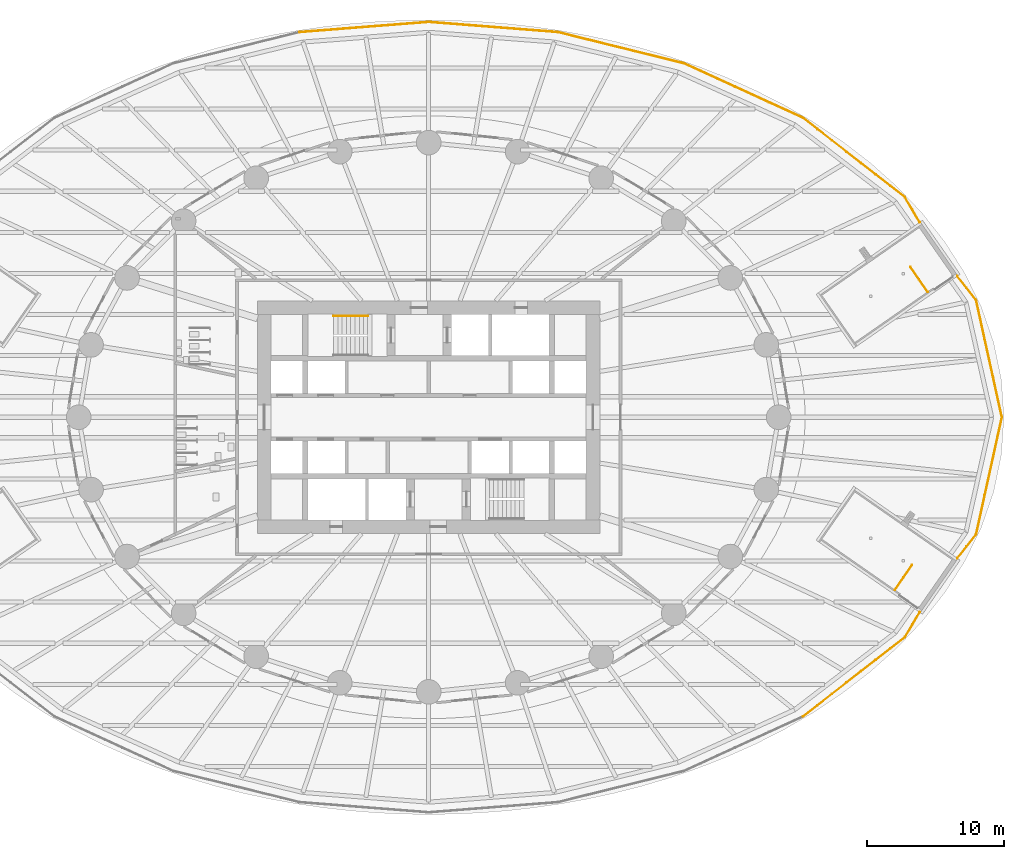
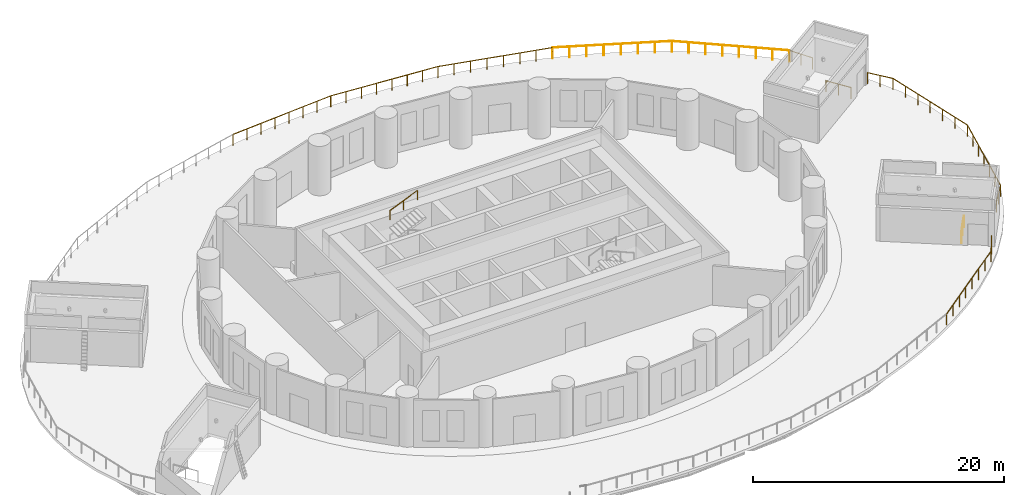
# One storey, part 15 of 17: 15 railings.
"""IFC4 building model written with IfcOpenShell, lengths in metres."""

from ifc_helpers import new_model, si_unit, direction, frame, origin, origin_2d, place, context, subcontext, project, spatial, circle, extrude, material, type_object, element, save


model = new_model("IFC4")

# Units and contexts
model_context = context("Model", 3, precision=1e-05, world=origin(), true_north=direction((0.0, 1.0)))
body_context = subcontext(model_context, "Body", "Model", "MODEL_VIEW")
ifc_project = project(units=[si_unit("LENGTHUNIT", "METRE"), si_unit("AREAUNIT", "SQUARE_METRE"), si_unit("VOLUMEUNIT", "CUBIC_METRE"), si_unit("PLANEANGLEUNIT", "RADIAN"), si_unit("MASSUNIT", "GRAM", prefix="KILO")], contexts=[model_context])

# Site, building, storey
site_placement = place(None, origin())
site = spatial("IfcSite", under=ifc_project, at=site_placement, CompositionType="ELEMENT")
building_placement = place(site_placement, origin())
building = spatial("IfcBuilding", under=site, at=building_placement, Name="Hankou Lantern Tower", CompositionType="ELEMENT")
storey_placement = place(building_placement, frame((0.0, 0.0, 24.60009765625)))
storey = spatial("IfcBuildingStorey", under=building, at=storey_placement, Name="L04", CompositionType="ELEMENT", Elevation=24.60009765625)

# Railings
ifc_material_1 = material(Name="Stainless steel and laminated glass guard", Category="steel")
railing_type_1 = type_object("IfcRailingType", Name="GR1 GUARD 1100", PredefinedType="GUARDRAIL", material=ifc_material_1)
railing_1_placement = place(storey_placement, frame((36.43212890625, 9.15771484375, 0.0)))
element("IfcRailing", 1, at=railing_1_placement, inside=storey, type_object=railing_type_1, Name="Stair P1 well guard L04", PredefinedType="GUARDRAIL", context=body_context, shape_type="SweptSolid", body=[
    extrude(circle(Radius=0.02392578125, at=origin_2d()), frame((0.0, 0.0, 1.076171875), z_axis=(-0.571031975366, 0.820927818453, 0.0), x_axis=(-0.820927818453, -0.571031975366, 0.0)), (0.0, 0.0, 1.0), 2.2001953125),
    extrude(circle(Radius=0.02099609375, at=origin_2d()), origin(), (0.0, 0.0, 1.0), 1.052001953125),
    extrude(circle(Radius=0.02099609375, at=origin_2d()), frame((-0.628173828125, 0.903076171875, 0.0)), (0.0, 0.0, 1.0), 1.052001953125),
    extrude(circle(Radius=0.02099609375, at=origin_2d()), frame((-1.25634765625, 1.80615234375, 0.0)), (0.0, 0.0, 1.0), 1.052001953125),
])
railing_2_placement = place(storey_placement, frame((34.03369140625, -12.605712890625, 0.0)))
element("IfcRailing", 2, at=railing_2_placement, inside=storey, type_object=railing_type_1, Name="Stair P4 well guard L04", PredefinedType="GUARDRAIL", context=body_context, shape_type="SweptSolid", body=[
    extrude(circle(Radius=0.02392578125, at=origin_2d()), frame((0.0, 0.0, 1.076171875), z_axis=(0.571031975366, 0.820927818453, 0.0), x_axis=(-0.820927818453, 0.571031975366, 0.0)), (0.0, 0.0, 1.0), 2.2001953125),
    extrude(circle(Radius=0.02099609375, at=origin_2d()), origin(), (0.0, 0.0, 1.0), 1.052001953125),
    extrude(circle(Radius=0.02099609375, at=origin_2d()), frame((0.628173828125, 0.903076171875, 0.0)), (0.0, 0.0, 1.0), 1.052001953125),
    extrude(circle(Radius=0.02099609375, at=origin_2d()), frame((1.25634765625, 1.80615234375, 0.0)), (0.0, 0.0, 1.0), 1.052001953125),
])
ifc_material_2 = material(Name="Granite balusters and coping on a stainless steel core", Category="masonry")
railing_type_2 = type_object("IfcRailingType", Name="GR2 PODIUM TERRACE STONE BALUSTRADE 1100", PredefinedType="BALUSTRADE", material=ifc_material_2)
railing_3_placement = place(storey_placement, frame((41.85009765625, 0.0, 0.0)))
element("IfcRailing", 3, at=railing_3_placement, inside=storey, type_object=railing_type_2, Name="Podium terrace guard R01", PredefinedType="BALUSTRADE", context=body_context, shape_type="SweptSolid", body=[
    extrude(circle(Radius=0.02392578125, at=origin_2d()), frame((0.0, 0.0, 1.076171875), z_axis=(-0.215170782675, 0.976576435454, 0.0), x_axis=(-0.976576435454, -0.215170782675, 0.0)), (0.0, 0.0, 1.0), 8.77197265625),
    extrude(circle(Radius=0.02099609375, at=origin_2d()), origin(), (0.0, 0.0, 1.0), 1.052001953125),
    extrude(circle(Radius=0.02099609375, at=origin_2d()), frame((-0.314453125, 1.427734375, 0.0)), (0.0, 0.0, 1.0), 1.052001953125),
    extrude(circle(Radius=0.02099609375, at=origin_2d()), frame((-0.629150390625, 2.85546875, 0.0)), (0.0, 0.0, 1.0), 1.052001953125),
    extrude(circle(Radius=0.02099609375, at=origin_2d()), frame((-0.94384765625, 4.283203125, 0.0)), (0.0, 0.0, 1.0), 1.052001953125),
    extrude(circle(Radius=0.02099609375, at=origin_2d()), frame((-1.25830078125, 5.7109375, 0.0)), (0.0, 0.0, 1.0), 1.052001953125),
    extrude(circle(Radius=0.02099609375, at=origin_2d()), frame((-1.57275390625, 7.138671875, 0.0)), (0.0, 0.0, 1.0), 1.052001953125),
    extrude(circle(Radius=0.02099609375, at=origin_2d()), frame((-1.887451171875, 8.56640625, 0.0)), (0.0, 0.0, 1.0), 1.052001953125),
])
railing_4_placement = place(storey_placement, frame((39.962646484375, 8.56640625, 0.0)))
element("IfcRailing", 4, at=railing_4_placement, inside=storey, type_object=railing_type_2, Name="Podium terrace guard R02", PredefinedType="BALUSTRADE", context=body_context, shape_type="SweptSolid", body=[
    extrude(circle(Radius=0.02392578125, at=origin_2d()), frame((0.0, 0.0, 1.076171875), z_axis=(-0.622181521097, 0.782873013205, 0.0), x_axis=(-0.782873013205, -0.622181521097, 0.0)), (0.0, 0.0, 1.0), 2.2060546875),
    extrude(circle(Radius=0.02099609375, at=origin_2d()), origin(), (0.0, 0.0, 1.0), 1.052001953125),
    extrude(circle(Radius=0.02099609375, at=origin_2d()), frame((-0.686279296875, 0.863525390625, 0.0)), (0.0, 0.0, 1.0), 1.052001953125),
    extrude(circle(Radius=0.02099609375, at=origin_2d()), frame((-1.37255859375, 1.72705078125, 0.0)), (0.0, 0.0, 1.0), 1.052001953125),
])
railing_5_placement = place(storey_placement, frame((35.84912109375, 14.23388671875, 0.0)))
element("IfcRailing", 5, at=railing_5_placement, inside=storey, type_object=railing_type_2, Name="Podium terrace guard R02", PredefinedType="BALUSTRADE", context=body_context, shape_type="SweptSolid", body=[
    extrude(circle(Radius=0.02392578125, at=origin_2d()), frame((0.0, 0.0, 1.076171875), z_axis=(-0.509884417263, 0.86024291978, 0.0), x_axis=(-0.86024291978, -0.509884417263, 0.0)), (0.0, 0.0, 1.0), 2.12109375),
    extrude(circle(Radius=0.02099609375, at=origin_2d()), origin(), (0.0, 0.0, 1.0), 1.052001953125),
    extrude(circle(Radius=0.02099609375, at=origin_2d()), frame((-0.540771484375, 0.912353515625, 0.0)), (0.0, 0.0, 1.0), 1.052001953125),
    extrude(circle(Radius=0.02099609375, at=origin_2d()), frame((-1.08154296875, 1.82470703125, 0.0)), (0.0, 0.0, 1.0), 1.052001953125),
])
railing_6_placement = place(storey_placement, frame((34.767578125, 16.05859375, 0.0)))
element("IfcRailing", 6, at=railing_6_placement, inside=storey, type_object=railing_type_2, Name="Podium terrace guard R03", PredefinedType="BALUSTRADE", context=body_context, shape_type="SweptSolid", body=[
    extrude(circle(Radius=0.02392578125, at=origin_2d()), frame((0.0, 0.0, 1.076171875), z_axis=(-0.789189230142, 0.614150111152, 0.0), x_axis=(-0.614150111152, -0.789189230142, 0.0)), (0.0, 0.0, 1.0), 9.4384765625),
    extrude(circle(Radius=0.02099609375, at=origin_2d()), origin(), (0.0, 0.0, 1.0), 1.052001953125),
    extrude(circle(Radius=0.02099609375, at=origin_2d()), frame((-1.064208984375, 0.828125, 0.0)), (0.0, 0.0, 1.0), 1.052001953125),
    extrude(circle(Radius=0.02099609375, at=origin_2d()), frame((-2.128173828125, 1.65625, 0.0)), (0.0, 0.0, 1.0), 1.052001953125),
    extrude(circle(Radius=0.02099609375, at=origin_2d()), frame((-3.1923828125, 2.484375, 0.0)), (0.0, 0.0, 1.0), 1.052001953125),
    extrude(circle(Radius=0.02099609375, at=origin_2d()), frame((-4.25634765625, 3.312255859375, 0.0)), (0.0, 0.0, 1.0), 1.052001953125),
    extrude(circle(Radius=0.02099609375, at=origin_2d()), frame((-5.320556640625, 4.140380859375, 0.0)), (0.0, 0.0, 1.0), 1.052001953125),
    extrude(circle(Radius=0.02099609375, at=origin_2d()), frame((-6.384521484375, 4.968505859375, 0.0)), (0.0, 0.0, 1.0), 1.052001953125),
    extrude(circle(Radius=0.02099609375, at=origin_2d()), frame((-7.44873046875, 5.796630859375, 0.0)), (0.0, 0.0, 1.0), 1.052001953125),
])
railing_7_placement = place(storey_placement, frame((27.31884765625, 21.855224609375, 0.0)))
element("IfcRailing", 7, at=railing_7_placement, inside=storey, type_object=railing_type_2, Name="Podium terrace guard R04", PredefinedType="BALUSTRADE", context=body_context, shape_type="SweptSolid", body=[
    extrude(circle(Radius=0.02392578125, at=origin_2d()), frame((0.0, 0.0, 1.076171875), z_axis=(-0.909171365198, 0.416422176047, 0.0), x_axis=(-0.416422176047, -0.909171365198, 0.0)), (0.0, 0.0, 1.0), 9.544677734375),
    extrude(circle(Radius=0.02099609375, at=origin_2d()), origin(), (0.0, 0.0, 1.0), 1.052001953125),
    extrude(circle(Radius=0.02099609375, at=origin_2d()), frame((-1.23974609375, 0.56787109375, 0.0)), (0.0, 0.0, 1.0), 1.052001953125),
    extrude(circle(Radius=0.02099609375, at=origin_2d()), frame((-2.479248046875, 1.135498046875, 0.0)), (0.0, 0.0, 1.0), 1.052001953125),
    extrude(circle(Radius=0.02099609375, at=origin_2d()), frame((-3.718994140625, 1.703369140625, 0.0)), (0.0, 0.0, 1.0), 1.052001953125),
    extrude(circle(Radius=0.02099609375, at=origin_2d()), frame((-4.958740234375, 2.271240234375, 0.0)), (0.0, 0.0, 1.0), 1.052001953125),
    extrude(circle(Radius=0.02099609375, at=origin_2d()), frame((-6.198486328125, 2.839111328125, 0.0)), (0.0, 0.0, 1.0), 1.052001953125),
    extrude(circle(Radius=0.02099609375, at=origin_2d()), frame((-7.43798828125, 3.40673828125, 0.0)), (0.0, 0.0, 1.0), 1.052001953125),
    extrude(circle(Radius=0.02099609375, at=origin_2d()), frame((-8.677734375, 3.974609375, 0.0)), (0.0, 0.0, 1.0), 1.052001953125),
])
railing_8_placement = place(storey_placement, frame((18.64111328125, 25.829833984375, 0.0)))
element("IfcRailing", 8, at=railing_8_placement, inside=storey, type_object=railing_type_2, Name="Podium terrace guard R05", PredefinedType="BALUSTRADE", context=body_context, shape_type="SweptSolid", body=[
    extrude(circle(Radius=0.02392578125, at=origin_2d()), frame((0.0, 0.0, 1.076171875), z_axis=(-0.97078133687, 0.239965822533, 0.0), x_axis=(-0.239965822533, -0.97078133687, 0.0)), (0.0, 0.0, 1.0), 9.50341796875),
    extrude(circle(Radius=0.02099609375, at=origin_2d()), origin(), (0.0, 0.0, 1.0), 1.052001953125),
    extrude(circle(Radius=0.02099609375, at=origin_2d()), frame((-1.31787109375, 0.32568359375, 0.0)), (0.0, 0.0, 1.0), 1.052001953125),
    extrude(circle(Radius=0.02099609375, at=origin_2d()), frame((-2.635986328125, 0.651611328125, 0.0)), (0.0, 0.0, 1.0), 1.052001953125),
    extrude(circle(Radius=0.02099609375, at=origin_2d()), frame((-3.953857421875, 0.977294921875, 0.0)), (0.0, 0.0, 1.0), 1.052001953125),
    extrude(circle(Radius=0.02099609375, at=origin_2d()), frame((-5.27197265625, 1.30322265625, 0.0)), (0.0, 0.0, 1.0), 1.052001953125),
    extrude(circle(Radius=0.02099609375, at=origin_2d()), frame((-6.58984375, 1.62890625, 0.0)), (0.0, 0.0, 1.0), 1.052001953125),
    extrude(circle(Radius=0.02099609375, at=origin_2d()), frame((-7.907958984375, 1.954833984375, 0.0)), (0.0, 0.0, 1.0), 1.052001953125),
    extrude(circle(Radius=0.02099609375, at=origin_2d()), frame((-9.225830078125, 2.280517578125, 0.0)), (0.0, 0.0, 1.0), 1.052001953125),
])
railing_9_placement = place(storey_placement, frame((9.415283203125, 28.1103515625, 0.0)))
element("IfcRailing", 9, at=railing_9_placement, inside=storey, type_object=railing_type_2, Name="Podium terrace guard R06", PredefinedType="BALUSTRADE", context=body_context, shape_type="SweptSolid", body=[
    extrude(circle(Radius=0.02392578125, at=origin_2d()), frame((0.0, 0.0, 1.076171875), z_axis=(-0.996927700353, 0.078327263894, 0.0), x_axis=(-0.078327263894, -0.996927700353, 0.0)), (0.0, 0.0, 1.0), 9.4443359375),
    extrude(circle(Radius=0.02099609375, at=origin_2d()), origin(), (0.0, 0.0, 1.0), 1.052001953125),
    extrude(circle(Radius=0.02099609375, at=origin_2d()), frame((-1.344970703125, 0.105712890625, 0.0)), (0.0, 0.0, 1.0), 1.052001953125),
    extrude(circle(Radius=0.02099609375, at=origin_2d()), frame((-2.690185546875, 0.21142578125, 0.0)), (0.0, 0.0, 1.0), 1.052001953125),
    extrude(circle(Radius=0.02099609375, at=origin_2d()), frame((-4.03515625, 0.317138671875, 0.0)), (0.0, 0.0, 1.0), 1.052001953125),
    extrude(circle(Radius=0.02099609375, at=origin_2d()), frame((-5.380126953125, 0.422607421875, 0.0)), (0.0, 0.0, 1.0), 1.052001953125),
    extrude(circle(Radius=0.02099609375, at=origin_2d()), frame((-6.72509765625, 0.5283203125, 0.0)), (0.0, 0.0, 1.0), 1.052001953125),
    extrude(circle(Radius=0.02099609375, at=origin_2d()), frame((-8.0703125, 0.634033203125, 0.0)), (0.0, 0.0, 1.0), 1.052001953125),
    extrude(circle(Radius=0.02099609375, at=origin_2d()), frame((-9.415283203125, 0.73974609375, 0.0)), (0.0, 0.0, 1.0), 1.052001953125),
])
railing_10_placement = place(storey_placement, frame((0.0, 28.85009765625, 0.0)))
element("IfcRailing", 10, at=railing_10_placement, inside=storey, type_object=railing_type_2, Name="Podium terrace guard R07", PredefinedType="BALUSTRADE", context=body_context, shape_type="SweptSolid", body=[
    extrude(circle(Radius=0.02392578125, at=origin_2d()), frame((0.0, 0.0, 1.076171875), z_axis=(-0.996927700353, -0.078327263894, 0.0), x_axis=(0.078327263894, -0.996927700353, 0.0)), (0.0, 0.0, 1.0), 9.4443359375),
    extrude(circle(Radius=0.02099609375, at=origin_2d()), origin(), (0.0, 0.0, 1.0), 1.052001953125),
    extrude(circle(Radius=0.02099609375, at=origin_2d()), frame((-1.344970703125, -0.105712890625, 0.0)), (0.0, 0.0, 1.0), 1.052001953125),
    extrude(circle(Radius=0.02099609375, at=origin_2d()), frame((-2.690185546875, -0.21142578125, 0.0)), (0.0, 0.0, 1.0), 1.052001953125),
    extrude(circle(Radius=0.02099609375, at=origin_2d()), frame((-4.03515625, -0.317138671875, 0.0)), (0.0, 0.0, 1.0), 1.052001953125),
    extrude(circle(Radius=0.02099609375, at=origin_2d()), frame((-5.380126953125, -0.422607421875, 0.0)), (0.0, 0.0, 1.0), 1.052001953125),
    extrude(circle(Radius=0.02099609375, at=origin_2d()), frame((-6.72509765625, -0.5283203125, 0.0)), (0.0, 0.0, 1.0), 1.052001953125),
    extrude(circle(Radius=0.02099609375, at=origin_2d()), frame((-8.0703125, -0.634033203125, 0.0)), (0.0, 0.0, 1.0), 1.052001953125),
    extrude(circle(Radius=0.02099609375, at=origin_2d()), frame((-9.415283203125, -0.73974609375, 0.0)), (0.0, 0.0, 1.0), 1.052001953125),
])
railing_11_placement = place(storey_placement, frame((27.31884765625, -21.855224609375, 0.0)))
element("IfcRailing", 11, at=railing_11_placement, inside=storey, type_object=railing_type_2, Name="Podium terrace guard R22", PredefinedType="BALUSTRADE", context=body_context, shape_type="SweptSolid", body=[
    extrude(circle(Radius=0.02392578125, at=origin_2d()), frame((0.0, 0.0, 1.076171875), z_axis=(0.789189230142, 0.614150111152, 0.0), x_axis=(-0.614150111152, 0.789189230142, 0.0)), (0.0, 0.0, 1.0), 9.4384765625),
    extrude(circle(Radius=0.02099609375, at=origin_2d()), origin(), (0.0, 0.0, 1.0), 1.052001953125),
    extrude(circle(Radius=0.02099609375, at=origin_2d()), frame((1.064208984375, 0.828125, 0.0)), (0.0, 0.0, 1.0), 1.052001953125),
    extrude(circle(Radius=0.02099609375, at=origin_2d()), frame((2.128173828125, 1.65625, 0.0)), (0.0, 0.0, 1.0), 1.052001953125),
    extrude(circle(Radius=0.02099609375, at=origin_2d()), frame((3.1923828125, 2.484375, 0.0)), (0.0, 0.0, 1.0), 1.052001953125),
    extrude(circle(Radius=0.02099609375, at=origin_2d()), frame((4.25634765625, 3.312255859375, 0.0)), (0.0, 0.0, 1.0), 1.052001953125),
    extrude(circle(Radius=0.02099609375, at=origin_2d()), frame((5.320556640625, 4.140380859375, 0.0)), (0.0, 0.0, 1.0), 1.052001953125),
    extrude(circle(Radius=0.02099609375, at=origin_2d()), frame((6.384521484375, 4.968505859375, 0.0)), (0.0, 0.0, 1.0), 1.052001953125),
    extrude(circle(Radius=0.02099609375, at=origin_2d()), frame((7.44873046875, 5.796630859375, 0.0)), (0.0, 0.0, 1.0), 1.052001953125),
])
railing_12_placement = place(storey_placement, frame((34.767578125, -16.05859375, 0.0)))
element("IfcRailing", 12, at=railing_12_placement, inside=storey, type_object=railing_type_2, Name="Podium terrace guard R23", PredefinedType="BALUSTRADE", context=body_context, shape_type="SweptSolid", body=[
    extrude(circle(Radius=0.02392578125, at=origin_2d()), frame((0.0, 0.0, 1.076171875), z_axis=(0.509884417263, 0.86024291978, 0.0), x_axis=(-0.86024291978, 0.509884417263, 0.0)), (0.0, 0.0, 1.0), 2.12109375),
    extrude(circle(Radius=0.02099609375, at=origin_2d()), origin(), (0.0, 0.0, 1.0), 1.052001953125),
    extrude(circle(Radius=0.02099609375, at=origin_2d()), frame((0.540771484375, 0.912353515625, 0.0)), (0.0, 0.0, 1.0), 1.052001953125),
    extrude(circle(Radius=0.02099609375, at=origin_2d()), frame((1.08154296875, 1.82470703125, 0.0)), (0.0, 0.0, 1.0), 1.052001953125),
])
railing_13_placement = place(storey_placement, frame((38.590087890625, -10.29345703125, 0.0)))
element("IfcRailing", 13, at=railing_13_placement, inside=storey, type_object=railing_type_2, Name="Podium terrace guard R23", PredefinedType="BALUSTRADE", context=body_context, shape_type="SweptSolid", body=[
    extrude(circle(Radius=0.02392578125, at=origin_2d()), frame((0.0, 0.0, 1.076171875), z_axis=(0.622181521097, 0.782873013205, 0.0), x_axis=(-0.782873013205, 0.622181521097, 0.0)), (0.0, 0.0, 1.0), 2.2060546875),
    extrude(circle(Radius=0.02099609375, at=origin_2d()), origin(), (0.0, 0.0, 1.0), 1.052001953125),
    extrude(circle(Radius=0.02099609375, at=origin_2d()), frame((0.686279296875, 0.863525390625, 0.0)), (0.0, 0.0, 1.0), 1.052001953125),
    extrude(circle(Radius=0.02099609375, at=origin_2d()), frame((1.37255859375, 1.72705078125, 0.0)), (0.0, 0.0, 1.0), 1.052001953125),
])
railing_14_placement = place(storey_placement, frame((39.962646484375, -8.56640625, 0.0)))
element("IfcRailing", 14, at=railing_14_placement, inside=storey, type_object=railing_type_2, Name="Podium terrace guard R24", PredefinedType="BALUSTRADE", context=body_context, shape_type="SweptSolid", body=[
    extrude(circle(Radius=0.02392578125, at=origin_2d()), frame((0.0, 0.0, 1.076171875), z_axis=(0.215170782675, 0.976576435454, 0.0), x_axis=(-0.976576435454, 0.215170782675, 0.0)), (0.0, 0.0, 1.0), 8.77197265625),
    extrude(circle(Radius=0.02099609375, at=origin_2d()), origin(), (0.0, 0.0, 1.0), 1.052001953125),
    extrude(circle(Radius=0.02099609375, at=origin_2d()), frame((0.314453125, 1.427734375, 0.0)), (0.0, 0.0, 1.0), 1.052001953125),
    extrude(circle(Radius=0.02099609375, at=origin_2d()), frame((0.629150390625, 2.85546875, 0.0)), (0.0, 0.0, 1.0), 1.052001953125),
    extrude(circle(Radius=0.02099609375, at=origin_2d()), frame((0.94384765625, 4.283203125, 0.0)), (0.0, 0.0, 1.0), 1.052001953125),
    extrude(circle(Radius=0.02099609375, at=origin_2d()), frame((1.25830078125, 5.7109375, 0.0)), (0.0, 0.0, 1.0), 1.052001953125),
    extrude(circle(Radius=0.02099609375, at=origin_2d()), frame((1.57275390625, 7.138671875, 0.0)), (0.0, 0.0, 1.0), 1.052001953125),
    extrude(circle(Radius=0.02099609375, at=origin_2d()), frame((1.887451171875, 8.56640625, 0.0)), (0.0, 0.0, 1.0), 1.052001953125),
])
ifc_material_3 = material(Name="Steel handrail", Category="steel")
railing_type_3 = type_object("IfcRailingType", Name="HR1 STAIR HANDRAIL", PredefinedType="HANDRAIL", material=ifc_material_3)
railing_15_placement = place(storey_placement, frame((-6.949951171875, 7.39990234375, 4.5)))
element("IfcRailing", 15, at=railing_15_placement, inside=storey, type_object=railing_type_3, Name="Handrail stair STA L04 flight 4", PredefinedType="HANDRAIL", context=body_context, shape_type="SweptSolid", body=[
    extrude(circle(Radius=0.02392578125, at=origin_2d()), frame((0.0, 0.0, 0.8759765625), z_axis=(0.920903207994, 0.0, 0.389791330723), x_axis=(0.0, 1.0, 0.0)), (0.0, 0.0, 1.0), 2.736572265625),
    extrude(circle(Radius=0.02099609375, at=origin_2d()), origin(), (0.0, 0.0, 1.0), 0.851806640625),
    extrude(circle(Radius=0.02099609375, at=origin_2d()), frame((1.260009765625, 0.0, 0.533203125)), (0.0, 0.0, 1.0), 0.851806640625),
    extrude(circle(Radius=0.02099609375, at=origin_2d()), frame((2.52001953125, 0.0, 1.066650390625)), (0.0, 0.0, 1.0), 0.851806640625),
])

save(model, "model.ifc")
